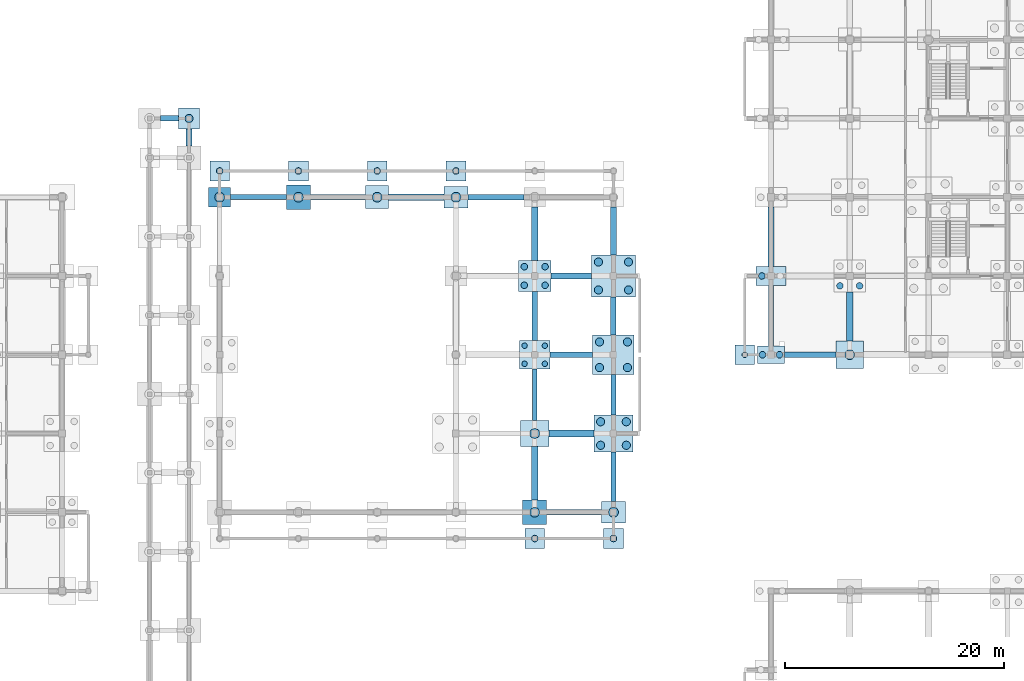
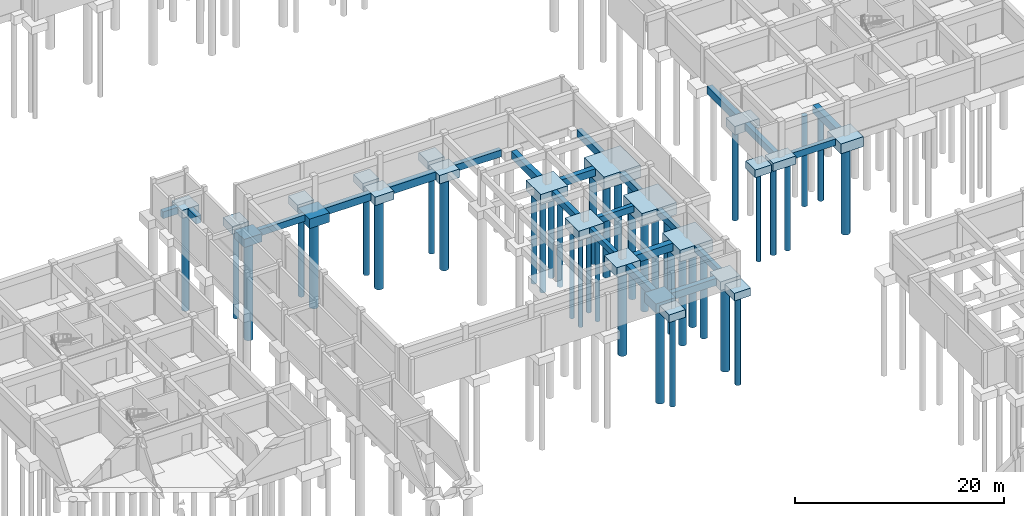
# One storey, part 10 of 38: 45 footings, 41 piles.
"""IFC4 building model written with IfcOpenShell, lengths in metres."""

from ifc_helpers import new_model, si_unit, direction, frame, origin, origin_2d, place, context, subcontext, project, spatial, polyline, rectangle, circle, outline, extrude, material, material_profile, profile_set, type_object, element, save


model = new_model("IFC4")

# Units and contexts
model_context = context("Model", 3, precision=1e-05, world=origin(), true_north=direction((0.0, 1.0)))
body_context = subcontext(model_context, "Body", "Model", "MODEL_VIEW")
ifc_project = project(units=[si_unit("LENGTHUNIT", "METRE"), si_unit("AREAUNIT", "SQUARE_METRE"), si_unit("VOLUMEUNIT", "CUBIC_METRE"), si_unit("PLANEANGLEUNIT", "RADIAN"), si_unit("MASSUNIT", "GRAM", prefix="KILO"), si_unit("THERMODYNAMICTEMPERATUREUNIT", "KELVIN"), si_unit("POWERUNIT", "WATT")], contexts=[model_context])

# Site, building, storey
site_placement = place(None, origin())
site = spatial("IfcSite", under=ifc_project, at=site_placement, CompositionType="ELEMENT")
building_placement = place(site_placement, origin())
building = spatial("IfcBuilding", under=site, at=building_placement, Name="Tavuni Mirador Residences", CompositionType="ELEMENT")
storey_placement = place(building_placement, frame((0.0, 0.0, -4.199951171875)))
storey = spatial("IfcBuildingStorey", under=building, at=storey_placement, Name="B1", CompositionType="ELEMENT", Elevation=-4.199951171875)

# Footings
ifc_material = material(Name="In-situ concrete C35/45", Category="concrete")
footing_type_1 = type_object("IfcFootingType", Name="FT-GB01", PredefinedType="FOOTING_BEAM", material=ifc_material)
footing_1_placement = place(storey_placement, frame((0.0, 0.0, -0.719970703125)))
element("IfcFooting", 1, at=footing_1_placement, inside=storey, type_object=footing_type_1, Name="GBY-PAV-HALL-04-01", PredefinedType="FOOTING_BEAM", context=body_context, shape_type="SweptSolid", body=[
    extrude(outline(polyline([(68.18994140625, 80.39990234375), (68.610107421875, 80.39990234375), (68.610107421875, 85.10009765625), (68.18994140625, 85.10009765625), (68.18994140625, 80.39990234375)])), origin(), (0.0, 0.0, 1.0), 0.719970703125),
])
footing_2_placement = place(storey_placement, frame((0.0, 0.0, -0.719970703125)))
element("IfcFooting", 2, at=footing_2_placement, inside=storey, type_object=footing_type_1, Name="GBY-PAV-HALL-05-00", PredefinedType="FOOTING_BEAM", context=body_context, shape_type="SweptSolid", body=[
    extrude(outline(polyline([(75.389892578125, 73.0), (75.81005859375, 73.0), (75.81005859375, 77.5), (75.389892578125, 77.5), (75.389892578125, 73.0)])), origin(), (0.0, 0.0, 1.0), 0.719970703125),
])
footing_type_2 = type_object("IfcFootingType", Name="FT-GB02", PredefinedType="FOOTING_BEAM", material=ifc_material)
footing_3_placement = place(storey_placement, frame((0.0, 0.0, -0.760009765625)))
element("IfcFooting", 3, at=footing_3_placement, inside=storey, type_object=footing_type_2, Name="GBX-BLK-D-00-00", PredefinedType="FOOTING_BEAM", context=body_context, shape_type="SweptSolid", body=[
    extrude(outline(polyline([(91.25, 86.169921875), (95.949951171875, 86.169921875), (95.949951171875, 86.6298828125), (91.25, 86.6298828125), (91.25, 86.169921875)])), origin(), (0.0, 0.0, 1.0), 0.760009765625),
])
footing_4_placement = place(storey_placement, frame((0.0, 0.0, -0.760009765625)))
element("IfcFooting", 4, at=footing_4_placement, inside=storey, type_object=footing_type_2, Name="GBX-PAV-HALL-00-04", PredefinedType="FOOTING_BEAM", context=body_context, shape_type="SweptSolid", body=[
    extrude(outline(polyline([(40.60009765625, 100.570068359375), (45.699951171875, 100.570068359375), (45.699951171875, 101.030029296875), (40.60009765625, 101.030029296875), (40.60009765625, 100.570068359375)])), origin(), (0.0, 0.0, 1.0), 0.760009765625),
])
footing_5_placement = place(storey_placement, frame((0.0, 0.0, -0.760009765625)))
element("IfcFooting", 5, at=footing_5_placement, inside=storey, type_object=footing_type_2, Name="GBX-PAV-HALL-04-02", PredefinedType="FOOTING_BEAM", context=body_context, shape_type="SweptSolid", body=[
    extrude(outline(polyline([(69.800048828125, 86.169921875), (73.699951171875, 86.169921875), (73.699951171875, 86.6298828125), (69.800048828125, 86.6298828125), (69.800048828125, 86.169921875)])), origin(), (0.0, 0.0, 1.0), 0.760009765625),
])
footing_6_placement = place(storey_placement, frame((0.0, 0.0, -0.760009765625)))
element("IfcFooting", 6, at=footing_6_placement, inside=storey, type_object=footing_type_2, Name="GBY-PAV-HALL-05-01", PredefinedType="FOOTING_BEAM", context=body_context, shape_type="SweptSolid", body=[
    extrude(outline(polyline([(75.3701171875, 80.89990234375), (75.830078125, 80.89990234375), (75.830078125, 84.60009765625), (75.3701171875, 84.60009765625), (75.3701171875, 80.89990234375)])), origin(), (0.0, 0.0, 1.0), 0.760009765625),
])
footing_type_3 = type_object("IfcFootingType", Name="FT-GB03", PredefinedType="FOOTING_BEAM", material=ifc_material)
footing_7_placement = place(storey_placement, frame((0.0, 0.0, -0.800048828125)))
element("IfcFooting", 7, at=footing_7_placement, inside=storey, type_object=footing_type_3, Name="GBY-BLK-D-00-00", PredefinedType="FOOTING_BEAM", context=body_context, shape_type="SweptSolid", body=[
    extrude(outline(polyline([(89.75, 87.199951171875), (90.25, 87.199951171875), (90.25, 92.75), (89.75, 92.75), (89.75, 87.199951171875)])), origin(), (0.0, 0.0, 1.0), 0.800048828125),
])
footing_8_placement = place(storey_placement, frame((0.0, 0.0, -0.800048828125)))
element("IfcFooting", 8, at=footing_8_placement, inside=storey, type_object=footing_type_3, Name="GBX-PAV-HALL-03-04", PredefinedType="FOOTING_BEAM", context=body_context, shape_type="SweptSolid", body=[
    extrude(outline(polyline([(62.300048828125, 100.550048828125), (67.39990234375, 100.550048828125), (67.39990234375, 101.050048828125), (62.300048828125, 101.050048828125), (62.300048828125, 100.550048828125)])), origin(), (0.0, 0.0, 1.0), 0.800048828125),
])
footing_9_placement = place(storey_placement, frame((0.0, 0.0, -0.800048828125)))
element("IfcFooting", 9, at=footing_9_placement, inside=storey, type_object=footing_type_3, Name="GBY-PAV-HALL-04-02", PredefinedType="FOOTING_BEAM", context=body_context, shape_type="SweptSolid", body=[
    extrude(outline(polyline([(68.14990234375, 87.699951171875), (68.64990234375, 87.699951171875), (68.64990234375, 92.199951171875), (68.14990234375, 92.199951171875), (68.14990234375, 87.699951171875)])), origin(), (0.0, 0.0, 1.0), 0.800048828125),
])
footing_10_placement = place(storey_placement, frame((0.0, 0.0, -0.800048828125)))
element("IfcFooting", 10, at=footing_10_placement, inside=storey, type_object=footing_type_3, Name="GBY-PAV-HALL-05-02", PredefinedType="FOOTING_BEAM", context=body_context, shape_type="SweptSolid", body=[
    extrude(outline(polyline([(75.35009765625, 88.199951171875), (75.85009765625, 88.199951171875), (75.85009765625, 91.699951171875), (75.35009765625, 91.699951171875), (75.35009765625, 88.199951171875)])), origin(), (0.0, 0.0, 1.0), 0.800048828125),
])
footing_11_placement = place(storey_placement, frame((0.0, 0.0, -0.800048828125)))
element("IfcFooting", 11, at=footing_11_placement, inside=storey, type_object=footing_type_3, Name="GBX-PAV-COL-00-08", PredefinedType="FOOTING_BEAM", context=body_context, shape_type="SweptSolid", body=[
    extrude(outline(polyline([(34.199951171875, 107.75), (35.85009765625, 107.75), (35.85009765625, 108.25), (34.199951171875, 108.25), (34.199951171875, 107.75)])), origin(), (0.0, 0.0, 1.0), 0.800048828125),
])
footing_type_4 = type_object("IfcFootingType", Name="FT-GB04", PredefinedType="FOOTING_BEAM", material=ifc_material)
footing_12_placement = place(storey_placement, frame((0.0, 0.0, -0.840087890625)))
element("IfcFooting", 12, at=footing_12_placement, inside=storey, type_object=footing_type_4, Name="GBX-PAV-HALL-01-04", PredefinedType="FOOTING_BEAM", context=body_context, shape_type="SweptSolid", body=[
    extrude(outline(polyline([(47.89990234375, 100.530029296875), (52.949951171875, 100.530029296875), (52.949951171875, 101.070068359375), (47.89990234375, 101.070068359375), (47.89990234375, 100.530029296875)])), origin(), (0.0, 0.0, 1.0), 0.840087890625),
])
footing_13_placement = place(storey_placement, frame((0.0, 0.0, -0.840087890625)))
element("IfcFooting", 13, at=footing_13_placement, inside=storey, type_object=footing_type_4, Name="GBX-PAV-HALL-04-00", PredefinedType="FOOTING_BEAM", context=body_context, shape_type="SweptSolid", body=[
    extrude(outline(polyline([(69.5, 71.72998046875), (74.5, 71.72998046875), (74.5, 72.27001953125), (69.5, 72.27001953125), (69.5, 71.72998046875)])), origin(), (0.0, 0.0, 1.0), 0.840087890625),
])
footing_14_placement = place(storey_placement, frame((0.0, 0.0, -0.840087890625)))
element("IfcFooting", 14, at=footing_14_placement, inside=storey, type_object=footing_type_4, Name="GBX-PAV-HALL-04-03", PredefinedType="FOOTING_BEAM", context=body_context, shape_type="SweptSolid", body=[
    extrude(outline(polyline([(69.89990234375, 93.330078125), (73.60009765625, 93.330078125), (73.60009765625, 93.8701171875), (69.89990234375, 93.8701171875), (69.89990234375, 93.330078125)])), origin(), (0.0, 0.0, 1.0), 0.840087890625),
])
footing_15_placement = place(storey_placement, frame((0.0, 0.0, -0.840087890625)))
element("IfcFooting", 15, at=footing_15_placement, inside=storey, type_object=footing_type_4, Name="GBY-PAV-HALL-05-03", PredefinedType="FOOTING_BEAM", context=body_context, shape_type="SweptSolid", body=[
    extrude(outline(polyline([(75.330078125, 95.5), (75.8701171875, 95.5), (75.8701171875, 99.89990234375), (75.330078125, 99.89990234375), (75.330078125, 95.5)])), origin(), (0.0, 0.0, 1.0), 0.840087890625),
])
footing_type_5 = type_object("IfcFootingType", Name="FT-GB05", PredefinedType="FOOTING_BEAM", material=ifc_material)
footing_16_placement = place(storey_placement, frame((0.0, 0.0, -0.880126953125)))
element("IfcFooting", 16, at=footing_16_placement, inside=storey, type_object=footing_type_5, Name="GBY-BLK-D-00-01", PredefinedType="FOOTING_BEAM", context=body_context, shape_type="SweptSolid", body=[
    extrude(outline(polyline([(89.7099609375, 94.449951171875), (90.2900390625, 94.449951171875), (90.2900390625, 99.89990234375), (89.7099609375, 99.89990234375), (89.7099609375, 94.449951171875)])), origin(), (0.0, 0.0, 1.0), 0.880126953125),
])
footing_17_placement = place(storey_placement, frame((0.0, 0.0, -0.880126953125)))
element("IfcFooting", 17, at=footing_17_placement, inside=storey, type_object=footing_type_5, Name="GBY-PAV-HALL-04-00", PredefinedType="FOOTING_BEAM", context=body_context, shape_type="SweptSolid", body=[
    extrude(outline(polyline([(68.110107421875, 73.10009765625), (68.68994140625, 73.10009765625), (68.68994140625, 78.0), (68.110107421875, 78.0), (68.110107421875, 73.10009765625)])), origin(), (0.0, 0.0, 1.0), 0.880126953125),
])
footing_18_placement = place(storey_placement, frame((0.0, 0.0, -0.880126953125)))
element("IfcFooting", 18, at=footing_18_placement, inside=storey, type_object=footing_type_5, Name="GBY-PAV-HALL-04-03", PredefinedType="FOOTING_BEAM", context=body_context, shape_type="SweptSolid", body=[
    extrude(outline(polyline([(68.110107421875, 95.0), (68.68994140625, 95.0), (68.68994140625, 99.89990234375), (68.110107421875, 99.89990234375), (68.110107421875, 95.0)])), origin(), (0.0, 0.0, 1.0), 0.880126953125),
])
footing_19_placement = place(storey_placement, frame((0.0, 0.0, -0.880126953125)))
element("IfcFooting", 19, at=footing_19_placement, inside=storey, type_object=footing_type_5, Name="GBY-PAV-COL-01-07", PredefinedType="FOOTING_BEAM", context=body_context, shape_type="SweptSolid", body=[
    extrude(outline(polyline([(36.510009765625, 105.5), (37.090087890625, 105.5), (37.090087890625, 107.050048828125), (36.510009765625, 107.050048828125), (36.510009765625, 105.5)])), origin(), (0.0, 0.0, 1.0), 0.880126953125),
])
footing_type_6 = type_object("IfcFootingType", Name="FT-GB06", PredefinedType="FOOTING_BEAM", material=ifc_material)
footing_20_placement = place(storey_placement, frame((0.0, 0.0, -0.920166015625)))
element("IfcFooting", 20, at=footing_20_placement, inside=storey, type_object=footing_type_6, Name="GBY-BLK-D-01-00", PredefinedType="FOOTING_BEAM", context=body_context, shape_type="SweptSolid", body=[
    extrude(outline(polyline([(96.889892578125, 87.64990234375), (97.510009765625, 87.64990234375), (97.510009765625, 92.14990234375), (96.889892578125, 92.14990234375), (96.889892578125, 87.64990234375)])), origin(), (0.0, 0.0, 1.0), 0.920166015625),
])
footing_21_placement = place(storey_placement, frame((0.0, 0.0, -0.920166015625)))
element("IfcFooting", 21, at=footing_21_placement, inside=storey, type_object=footing_type_6, Name="GBX-PAV-HALL-02-04", PredefinedType="FOOTING_BEAM", context=body_context, shape_type="SweptSolid", body=[
    extrude(outline(polyline([(55.050048828125, 100.489990234375), (60.10009765625, 100.489990234375), (60.10009765625, 101.110107421875), (55.050048828125, 101.110107421875), (55.050048828125, 100.489990234375)])), origin(), (0.0, 0.0, 1.0), 0.920166015625),
])
footing_22_placement = place(storey_placement, frame((0.0, 0.0, -0.920166015625)))
element("IfcFooting", 22, at=footing_22_placement, inside=storey, type_object=footing_type_6, Name="GBX-PAV-HALL-04-01", PredefinedType="FOOTING_BEAM", context=body_context, shape_type="SweptSolid", body=[
    extrude(outline(polyline([(69.699951171875, 78.889892578125), (73.800048828125, 78.889892578125), (73.800048828125, 79.510009765625), (69.699951171875, 79.510009765625), (69.699951171875, 78.889892578125)])), origin(), (0.0, 0.0, 1.0), 0.920166015625),
])
footing_type_7 = type_object("IfcFootingType", Name="FT-PC01", PredefinedType="PILE_CAP", material=ifc_material)
for number, where, z_axis, x_axis, name in (
    (23, (87.60009765625, 86.39990234375, -0.89990234375), (0.0, 0.0, 1.0), (1.0, 0.0, 0.0), "CAP-APR-BLKD-W1-0"),
    (24, (68.39990234375, 69.60009765625, -0.89990234375), (0.0, 0.0, 1.0), (1.0, 0.0, 0.0), "CAP-HALL-EAVE-S-04"),
    (25, (75.60009765625, 69.60009765625, -0.89990234375), (0.0, 0.0, 1.0), (1.0, 0.0, 0.0), "CAP-HALL-EAVE-S-05"),
    (26, (39.60009765625, 103.199951171875, -0.89990234375), (0.0, 0.0, 1.0), (1.0, 0.0, 0.0), "CAP-HALL-EAVE-N-00"),
    (27, (46.800048828125, 103.199951171875, -0.89990234375), (0.0, 0.0, 1.0), (1.0, 0.0, 0.0), "CAP-HALL-EAVE-N-01"),
    (28, (54.0, 103.199951171875, -0.89990234375), (0.0, 0.0, 1.0), (1.0, 0.0, 0.0), "CAP-HALL-EAVE-N-02"),
    (29, (61.199951171875, 103.199951171875, -0.89990234375), (0.0, 0.0, 1.0), (1.0, 0.0, 0.0), "CAP-HALL-EAVE-N-03"),
):
    element("IfcFooting", number, at=place(storey_placement, frame(where, z_axis=z_axis, x_axis=x_axis)), inside=storey, type_object=footing_type_7, Name=name, PredefinedType="PILE_CAP", context=body_context, shape_type="SweptSolid", body=[
        extrude(rectangle(XDim=1.800048828125, YDim=1.800048828125, at=origin_2d()), origin(), (0.0, 0.0, 1.0), 0.89990234375),
    ])
footing_type_8 = type_object("IfcFootingType", Name="FT-PC02", PredefinedType="PILE_CAP", material=ifc_material)
footing_23_placement = place(storey_placement, frame((39.60009765625, 100.800048828125, -0.9501953125), z_axis=(0.0, 0.0, 1.0), x_axis=(1.0, 0.0, 0.0)))
element("IfcFooting", 30, at=footing_23_placement, inside=storey, type_object=footing_type_8, Name="CAP-PAV-HALL-00-04", PredefinedType="PILE_CAP", context=body_context, shape_type="SweptSolid", body=[
    extrude(rectangle(XDim=2.0, YDim=1.800048828125, at=origin_2d()), origin(), (0.0, 0.0, 1.0), 0.949951171875),
])
footing_type_9 = type_object("IfcFootingType", Name="FT-PC03", PredefinedType="PILE_CAP", material=ifc_material)
for number, where, z_axis, x_axis, name in (
    (31, (61.199951171875, 100.800048828125, -1.0), (0.0, 0.0, 1.0), (1.0, 0.0, 0.0), "CAP-PAV-HALL-03-04"),
    (32, (75.60009765625, 72.0, -1.0), (0.0, 0.0, 1.0), (1.0, 0.0, 0.0), "CAP-PAV-HALL-05-00"),
):
    element("IfcFooting", number, at=place(storey_placement, frame(where, z_axis=z_axis, x_axis=x_axis)), inside=storey, type_object=footing_type_9, Name=name, PredefinedType="PILE_CAP", context=body_context, shape_type="SweptSolid", body=[
        extrude(rectangle(XDim=2.199951171875, YDim=2.0, at=origin_2d()), origin(), (0.0, 0.0, 1.0), 1.0),
    ])
footing_type_10 = type_object("IfcFootingType", Name="FT-PC05", PredefinedType="PILE_CAP", material=ifc_material)
footing_24_placement = place(storey_placement, frame((68.39990234375, 79.199951171875, -1.10009765625), z_axis=(0.0, 0.0, 1.0), x_axis=(1.0, 0.0, 0.0)))
element("IfcFooting", 33, at=footing_24_placement, inside=storey, type_object=footing_type_10, Name="CAP-PAV-HALL-04-01", PredefinedType="PILE_CAP", context=body_context, shape_type="SweptSolid", body=[
    extrude(rectangle(XDim=2.60009765625, YDim=2.39990234375, at=origin_2d()), origin(), (0.0, 0.0, 1.0), 1.10009765625),
])
footing_type_11 = type_object("IfcFootingType", Name="FT-PC06", PredefinedType="PILE_CAP", material=ifc_material)
footing_25_placement = place(storey_placement, frame((68.39990234375, 86.39990234375, -1.14990234375), z_axis=(0.0, 0.0, 1.0), x_axis=(1.0, 0.0, 0.0)))
element("IfcFooting", 34, at=footing_25_placement, inside=storey, type_object=footing_type_11, Name="CAP-PAV-HALL-04-02", PredefinedType="PILE_CAP", context=body_context, shape_type="SweptSolid", body=[
    extrude(rectangle(XDim=2.800048828125, YDim=2.60009765625, at=origin_2d()), origin(), (0.0, 0.0, 1.0), 1.14990234375),
])
footing_type_12 = type_object("IfcFootingType", Name="FT-PC07", PredefinedType="PILE_CAP", material=ifc_material)
footing_26_placement = place(storey_placement, frame((68.39990234375, 93.60009765625, -1.2001953125), z_axis=(0.0, 0.0, 1.0), x_axis=(1.0, 0.0, 0.0)))
element("IfcFooting", 35, at=footing_26_placement, inside=storey, type_object=footing_type_12, Name="CAP-PAV-HALL-04-03", PredefinedType="PILE_CAP", context=body_context, shape_type="SweptSolid", body=[
    extrude(rectangle(XDim=3.0, YDim=2.800048828125, at=origin_2d()), origin(), (0.0, 0.0, 1.0), 1.199951171875),
])
footing_type_13 = type_object("IfcFootingType", Name="FT-PC10", PredefinedType="PILE_CAP", material=ifc_material)
footing_27_placement = place(storey_placement, frame((75.60009765625, 79.199951171875, -1.35009765625), z_axis=(0.0, 0.0, 1.0), x_axis=(1.0, 0.0, 0.0)))
element("IfcFooting", 36, at=footing_27_placement, inside=storey, type_object=footing_type_13, Name="CAP-PAV-HALL-05-01", PredefinedType="PILE_CAP", context=body_context, shape_type="SweptSolid", body=[
    extrude(rectangle(XDim=3.60009765625, YDim=3.39990234375, at=origin_2d()), origin(), (0.0, 0.0, 1.0), 1.35009765625),
])
footing_type_14 = type_object("IfcFootingType", Name="FT-PC11", PredefinedType="PILE_CAP", material=ifc_material)
footing_28_placement = place(storey_placement, frame((75.60009765625, 86.39990234375, -1.39990234375), z_axis=(0.0, 0.0, 1.0), x_axis=(1.0, 0.0, 0.0)))
element("IfcFooting", 37, at=footing_28_placement, inside=storey, type_object=footing_type_14, Name="CAP-PAV-HALL-05-02", PredefinedType="PILE_CAP", context=body_context, shape_type="SweptSolid", body=[
    extrude(rectangle(XDim=3.800048828125, YDim=3.60009765625, at=origin_2d()), origin(), (0.0, 0.0, 1.0), 1.39990234375),
])
footing_type_15 = type_object("IfcFootingType", Name="FT-PC12", PredefinedType="PILE_CAP", material=ifc_material)
footing_29_placement = place(storey_placement, frame((75.60009765625, 93.60009765625, -1.4501953125), z_axis=(0.0, 0.0, 1.0), x_axis=(1.0, 0.0, 0.0)))
element("IfcFooting", 38, at=footing_29_placement, inside=storey, type_object=footing_type_15, Name="CAP-PAV-HALL-05-03", PredefinedType="PILE_CAP", context=body_context, shape_type="SweptSolid", body=[
    extrude(rectangle(XDim=4.0, YDim=3.800048828125, at=origin_2d()), origin(), (0.0, 0.0, 1.0), 1.449951171875),
])
footing_type_16 = type_object("IfcFootingType", Name="FT-PC14", PredefinedType="PILE_CAP", material=ifc_material)
footing_30_placement = place(storey_placement, frame((90.0, 86.39990234375, -0.9501953125), z_axis=(0.0, 0.0, 1.0), x_axis=(1.0, 0.0, 0.0)))
element("IfcFooting", 39, at=footing_30_placement, inside=storey, type_object=footing_type_16, Name="CAP-BLK-D-00-00", PredefinedType="PILE_CAP", context=body_context, shape_type="SweptSolid", body=[
    extrude(rectangle(XDim=2.5, YDim=1.60009765625, at=origin_2d()), origin(), (0.0, 0.0, 1.0), 0.949951171875),
])
footing_type_17 = type_object("IfcFootingType", Name="FT-PC15", PredefinedType="PILE_CAP", material=ifc_material)
footing_31_placement = place(storey_placement, frame((90.0, 93.60009765625, -1.0), z_axis=(0.0, 0.0, 1.0), x_axis=(1.0, 0.0, 0.0)))
element("IfcFooting", 40, at=footing_31_placement, inside=storey, type_object=footing_type_17, Name="CAP-BLK-D-00-01", PredefinedType="PILE_CAP", context=body_context, shape_type="SweptSolid", body=[
    extrude(rectangle(XDim=2.699951171875, YDim=1.699951171875, at=origin_2d()), origin(), (0.0, 0.0, 1.0), 1.0),
])
footing_type_18 = type_object("IfcFootingType", Name="FT-PC21", PredefinedType="PILE_CAP", material=ifc_material)
for number, where, z_axis, x_axis, name in (
    (41, (46.800048828125, 100.800048828125, -1.10009765625), (0.0, 0.0, 1.0), (1.0, 0.0, 0.0), "CAP-PAV-HALL-01-04"),
    (42, (68.39990234375, 72.0, -1.10009765625), (0.0, 0.0, 1.0), (1.0, 0.0, 0.0), "CAP-PAV-HALL-04-00"),
):
    element("IfcFooting", number, at=place(storey_placement, frame(where, z_axis=z_axis, x_axis=x_axis)), inside=storey, type_object=footing_type_18, Name=name, PredefinedType="PILE_CAP", context=body_context, shape_type="SweptSolid", body=[
        extrude(rectangle(XDim=2.199951171875, YDim=2.199951171875, at=origin_2d()), origin(), (0.0, 0.0, 1.0), 1.10009765625),
    ])
footing_type_19 = type_object("IfcFootingType", Name="FT-PC22", PredefinedType="PILE_CAP", material=ifc_material)
footing_32_placement = place(storey_placement, frame((97.199951171875, 86.39990234375, -1.14990234375), z_axis=(0.0, 0.0, 1.0), x_axis=(1.0, 0.0, 0.0)))
element("IfcFooting", 43, at=footing_32_placement, inside=storey, type_object=footing_type_19, Name="CAP-BLK-D-01-00", PredefinedType="PILE_CAP", context=body_context, shape_type="SweptSolid", body=[
    extrude(rectangle(XDim=2.5, YDim=2.5, at=origin_2d()), origin(), (0.0, 0.0, 1.0), 1.14990234375),
])
footing_type_20 = type_object("IfcFootingType", Name="FT-PC25", PredefinedType="PILE_CAP", material=ifc_material)
footing_33_placement = place(storey_placement, frame((36.800048828125, 108.0, -0.919921875), z_axis=(0.0, 0.0, 1.0), x_axis=(1.0, 0.0, 0.0)))
element("IfcFooting", 44, at=footing_33_placement, inside=storey, type_object=footing_type_20, Name="CAP-PAV-COL-01-08", PredefinedType="PILE_CAP", context=body_context, shape_type="SweptSolid", body=[
    extrude(rectangle(XDim=1.89990234375, YDim=1.89990234375, at=origin_2d()), origin(), (0.0, 0.0, 1.0), 0.919921875),
])
footing_type_21 = type_object("IfcFootingType", Name="FT-PC26", PredefinedType="PILE_CAP", material=ifc_material)
footing_34_placement = place(storey_placement, frame((54.0, 100.800048828125, -0.97998046875), z_axis=(0.0, 0.0, 1.0), x_axis=(1.0, 0.0, 0.0)))
element("IfcFooting", 45, at=footing_34_placement, inside=storey, type_object=footing_type_21, Name="CAP-PAV-HALL-02-04", PredefinedType="PILE_CAP", context=body_context, shape_type="SweptSolid", body=[
    extrude(rectangle(XDim=2.10009765625, YDim=2.10009765625, at=origin_2d()), origin(), (0.0, 0.0, 1.0), 0.97998046875),
])

# Piles
ifc_material_profile_1 = material_profile(ifc_material, circle(Radius=0.25, at=origin_2d()), Name="PILE D500", Category="concrete")
ifc_profile_set_1 = profile_set([ifc_material_profile_1], Name="In-situ concrete C35/45")
pile_type_1 = type_object("IfcPileType", Name="PT-D500", PredefinedType="BORED", material=ifc_profile_set_1)
for number, where, z_axis, x_axis, name in (
    (46, (67.469970703125, 85.570068359375, -1.150146484375), (0.0, 0.0, -1.0), (1.0, 0.0, 0.0), "PIL-PAV-HALL-04-02-1"),
    (47, (69.330078125, 85.570068359375, -1.150146484375), (0.0, 0.0, -1.0), (1.0, 0.0, 0.0), "PIL-PAV-HALL-04-02-2"),
    (48, (67.469970703125, 87.22998046875, -1.150146484375), (0.0, 0.0, -1.0), (1.0, 0.0, 0.0), "PIL-PAV-HALL-04-02-3"),
    (49, (69.330078125, 87.22998046875, -1.150146484375), (0.0, 0.0, -1.0), (1.0, 0.0, 0.0), "PIL-PAV-HALL-04-02-4"),
):
    element("IfcPile", number, at=place(storey_placement, frame(where, z_axis=z_axis, x_axis=x_axis)), inside=storey, type_object=pile_type_1, Name=name, PredefinedType="BORED", context=body_context, shape_type="SweptSolid", body=[
        extrude(circle(Radius=0.25, at=origin_2d()), origin(), (0.0, 0.0, 1.0), 10.35009765625),
    ])
pile_1_placement = place(storey_placement, frame((87.60009765625, 86.39990234375, -0.800048828125), z_axis=(0.0, 0.0, -1.0), x_axis=(1.0, 0.0, 0.0)))
element("IfcPile", 50, at=pile_1_placement, inside=storey, type_object=pile_type_1, Name="PIL-APR-BLKD-W1-0", PredefinedType="BORED", context=body_context, shape_type="SweptSolid", body=[
    extrude(circle(Radius=0.25, at=origin_2d()), origin(), (0.0, 0.0, 1.0), 10.60009765625),
])
ifc_material_profile_2 = material_profile(ifc_material, circle(Radius=0.300048828125, at=origin_2d()), Name="PILE D600", Category="concrete")
ifc_profile_set_2 = profile_set([ifc_material_profile_2], Name="In-situ concrete C35/45")
pile_type_2 = type_object("IfcPileType", Name="PT-D600", PredefinedType="BORED", material=ifc_profile_set_2)
for number, where, z_axis, x_axis, name in (
    (51, (89.219970703125, 86.39990234375, -0.949951171875), (0.0, 0.0, -1.0), (1.0, 0.0, 0.0), "PIL-BLK-D-00-00-1"),
    (52, (90.780029296875, 86.39990234375, -0.949951171875), (0.0, 0.0, -1.0), (1.0, 0.0, 0.0), "PIL-BLK-D-00-00-2"),
):
    element("IfcPile", number, at=place(storey_placement, frame(where, z_axis=z_axis, x_axis=x_axis)), inside=storey, type_object=pile_type_2, Name=name, PredefinedType="BORED", context=body_context, shape_type="SweptSolid", body=[
        extrude(circle(Radius=0.300048828125, at=origin_2d()), origin(), (0.0, 0.0, 1.0), 10.25),
    ])
pile_2_placement = place(storey_placement, frame((89.169921875, 93.60009765625, -1.0), z_axis=(0.0, 0.0, -1.0), x_axis=(1.0, 0.0, 0.0)))
element("IfcPile", 53, at=pile_2_placement, inside=storey, type_object=pile_type_2, Name="PIL-BLK-D-00-01-1", PredefinedType="BORED", context=body_context, shape_type="SweptSolid", body=[
    extrude(circle(Radius=0.300048828125, at=origin_2d()), origin(), (0.0, 0.0, 1.0), 10.5),
])
for number, where, z_axis, x_axis, name in (
    (54, (96.300048828125, 92.699951171875, -1.25), (0.0, 0.0, -1.0), (1.0, 0.0, 0.0), "PIL-BLK-D-01-01-1"),
    (55, (98.10009765625, 92.699951171875, -1.25), (0.0, 0.0, -1.0), (1.0, 0.0, 0.0), "PIL-BLK-D-01-01-2"),
):
    element("IfcPile", number, at=place(storey_placement, frame(where, z_axis=z_axis, x_axis=x_axis)), inside=storey, type_object=pile_type_2, Name=name, PredefinedType="BORED", context=body_context, shape_type="SweptSolid", body=[
        extrude(circle(Radius=0.300048828125, at=origin_2d()), origin(), (0.0, 0.0, 1.0), 10.550048828125),
    ])
for number, where, z_axis, x_axis, name in (
    (56, (67.449951171875, 92.75, -1.199951171875), (0.0, 0.0, -1.0), (1.0, 0.0, 0.0), "PIL-PAV-HALL-04-03-1"),
    (57, (69.35009765625, 92.75, -1.199951171875), (0.0, 0.0, -1.0), (1.0, 0.0, 0.0), "PIL-PAV-HALL-04-03-2"),
    (58, (67.449951171875, 94.449951171875, -1.199951171875), (0.0, 0.0, -1.0), (1.0, 0.0, 0.0), "PIL-PAV-HALL-04-03-3"),
    (59, (69.35009765625, 94.449951171875, -1.199951171875), (0.0, 0.0, -1.0), (1.0, 0.0, 0.0), "PIL-PAV-HALL-04-03-4"),
    (60, (68.39990234375, 69.60009765625, -0.800048828125), (0.0, 0.0, -1.0), (1.0, 0.0, 0.0), "PIL-HALL-EAVE-S-04"),
    (61, (75.60009765625, 69.60009765625, -0.800048828125), (0.0, 0.0, -1.0), (1.0, 0.0, 0.0), "PIL-HALL-EAVE-S-05"),
    (62, (39.60009765625, 103.199951171875, -0.800048828125), (0.0, 0.0, -1.0), (1.0, 0.0, 0.0), "PIL-HALL-EAVE-N-00"),
    (63, (46.800048828125, 103.199951171875, -0.800048828125), (0.0, 0.0, -1.0), (1.0, 0.0, 0.0), "PIL-HALL-EAVE-N-01"),
    (64, (54.0, 103.199951171875, -0.800048828125), (0.0, 0.0, -1.0), (1.0, 0.0, 0.0), "PIL-HALL-EAVE-N-02"),
    (65, (61.199951171875, 103.199951171875, -0.800048828125), (0.0, 0.0, -1.0), (1.0, 0.0, 0.0), "PIL-HALL-EAVE-N-03"),
):
    element("IfcPile", number, at=place(storey_placement, frame(where, z_axis=z_axis, x_axis=x_axis)), inside=storey, type_object=pile_type_2, Name=name, PredefinedType="BORED", context=body_context, shape_type="SweptSolid", body=[
        extrude(circle(Radius=0.300048828125, at=origin_2d()), origin(), (0.0, 0.0, 1.0), 10.60009765625),
    ])
ifc_material_profile_3 = material_profile(ifc_material, circle(Radius=0.375, at=origin_2d()), Name="PILE D750", Category="concrete")
ifc_profile_set_3 = profile_set([ifc_material_profile_3], Name="In-situ concrete C35/45")
pile_type_3 = type_object("IfcPileType", Name="PT-D750", PredefinedType="BORED", material=ifc_profile_set_3)
for number, where, z_axis, x_axis, name in (
    (66, (74.425048828125, 78.125, -1.35009765625), (0.0, 0.0, -1.0), (1.0, 0.0, 0.0), "PIL-PAV-HALL-05-01-1"),
    (67, (76.77490234375, 78.125, -1.35009765625), (0.0, 0.0, -1.0), (1.0, 0.0, 0.0), "PIL-PAV-HALL-05-01-2"),
    (68, (74.425048828125, 80.27490234375, -1.35009765625), (0.0, 0.0, -1.0), (1.0, 0.0, 0.0), "PIL-PAV-HALL-05-01-3"),
    (69, (76.77490234375, 80.27490234375, -1.35009765625), (0.0, 0.0, -1.0), (1.0, 0.0, 0.0), "PIL-PAV-HALL-05-01-4"),
):
    element("IfcPile", number, at=place(storey_placement, frame(where, z_axis=z_axis, x_axis=x_axis)), inside=storey, type_object=pile_type_3, Name=name, PredefinedType="BORED", context=body_context, shape_type="SweptSolid", body=[
        extrude(circle(Radius=0.375, at=origin_2d()), origin(), (0.0, 0.0, 1.0), 10.14990234375),
    ])
for number, where, z_axis, x_axis, name in (
    (70, (74.324951171875, 85.22509765625, -1.400146484375), (0.0, 0.0, -1.0), (1.0, 0.0, 0.0), "PIL-PAV-HALL-05-02-1"),
    (71, (76.875, 85.22509765625, -1.400146484375), (0.0, 0.0, -1.0), (1.0, 0.0, 0.0), "PIL-PAV-HALL-05-02-2"),
    (72, (74.324951171875, 87.574951171875, -1.400146484375), (0.0, 0.0, -1.0), (1.0, 0.0, 0.0), "PIL-PAV-HALL-05-02-3"),
    (73, (76.875, 87.574951171875, -1.400146484375), (0.0, 0.0, -1.0), (1.0, 0.0, 0.0), "PIL-PAV-HALL-05-02-4"),
):
    element("IfcPile", number, at=place(storey_placement, frame(where, z_axis=z_axis, x_axis=x_axis)), inside=storey, type_object=pile_type_3, Name=name, PredefinedType="BORED", context=body_context, shape_type="SweptSolid", body=[
        extrude(circle(Radius=0.375, at=origin_2d()), origin(), (0.0, 0.0, 1.0), 10.39990234375),
    ])
for number, where, z_axis, x_axis, name in (
    (74, (74.22509765625, 92.324951171875, -1.449951171875), (0.0, 0.0, -1.0), (1.0, 0.0, 0.0), "PIL-PAV-HALL-05-03-1"),
    (75, (76.97509765625, 92.324951171875, -1.449951171875), (0.0, 0.0, -1.0), (1.0, 0.0, 0.0), "PIL-PAV-HALL-05-03-2"),
    (76, (74.22509765625, 94.875, -1.449951171875), (0.0, 0.0, -1.0), (1.0, 0.0, 0.0), "PIL-PAV-HALL-05-03-3"),
    (77, (76.97509765625, 94.875, -1.449951171875), (0.0, 0.0, -1.0), (1.0, 0.0, 0.0), "PIL-PAV-HALL-05-03-4"),
):
    element("IfcPile", number, at=place(storey_placement, frame(where, z_axis=z_axis, x_axis=x_axis)), inside=storey, type_object=pile_type_3, Name=name, PredefinedType="BORED", context=body_context, shape_type="SweptSolid", body=[
        extrude(circle(Radius=0.375, at=origin_2d()), origin(), (0.0, 0.0, 1.0), 10.64990234375),
    ])
pile_3_placement = place(storey_placement, frame((36.800048828125, 108.0, -0.920166015625), z_axis=(0.0, 0.0, -1.0), x_axis=(1.0, 0.0, 0.0)))
element("IfcPile", 78, at=pile_3_placement, inside=storey, type_object=pile_type_3, Name="PIL-PAV-COL-01-08-1", PredefinedType="BORED", context=body_context, shape_type="SweptSolid", body=[
    extrude(circle(Radius=0.375, at=origin_2d()), origin(), (0.0, 0.0, 1.0), 11.47998046875),
])
ifc_material_profile_4 = material_profile(ifc_material, circle(Radius=0.449951171875, at=origin_2d()), Name="PILE D900", Category="concrete")
ifc_profile_set_4 = profile_set([ifc_material_profile_4], Name="In-situ concrete C35/45")
pile_type_4 = type_object("IfcPileType", Name="PT-D900", PredefinedType="BORED", material=ifc_profile_set_4)
pile_4_placement = place(storey_placement, frame((97.199951171875, 86.39990234375, -1.150146484375), z_axis=(0.0, 0.0, -1.0), x_axis=(1.0, 0.0, 0.0)))
element("IfcPile", 79, at=pile_4_placement, inside=storey, type_object=pile_type_4, Name="PIL-BLK-D-01-00-1", PredefinedType="BORED", context=body_context, shape_type="SweptSolid", body=[
    extrude(circle(Radius=0.449951171875, at=origin_2d()), origin(), (0.0, 0.0, 1.0), 10.35009765625),
])
pile_5_placement = place(storey_placement, frame((39.60009765625, 100.800048828125, -0.949951171875), z_axis=(0.0, 0.0, -1.0), x_axis=(1.0, 0.0, 0.0)))
element("IfcPile", 80, at=pile_5_placement, inside=storey, type_object=pile_type_4, Name="PIL-PAV-HALL-00-04-1", PredefinedType="BORED", context=body_context, shape_type="SweptSolid", body=[
    extrude(circle(Radius=0.449951171875, at=origin_2d()), origin(), (0.0, 0.0, 1.0), 11.449951171875),
])
pile_6_placement = place(storey_placement, frame((46.800048828125, 100.800048828125, -1.10009765625), z_axis=(0.0, 0.0, -1.0), x_axis=(1.0, 0.0, 0.0)))
element("IfcPile", 81, at=pile_6_placement, inside=storey, type_object=pile_type_4, Name="PIL-PAV-HALL-01-04-1", PredefinedType="BORED", context=body_context, shape_type="SweptSolid", body=[
    extrude(circle(Radius=0.449951171875, at=origin_2d()), origin(), (0.0, 0.0, 1.0), 10.10009765625),
])
pile_7_placement = place(storey_placement, frame((54.0, 100.800048828125, -0.97998046875), z_axis=(0.0, 0.0, -1.0), x_axis=(1.0, 0.0, 0.0)))
element("IfcPile", 82, at=pile_7_placement, inside=storey, type_object=pile_type_4, Name="PIL-PAV-HALL-02-04-1", PredefinedType="BORED", context=body_context, shape_type="SweptSolid", body=[
    extrude(circle(Radius=0.449951171875, at=origin_2d()), origin(), (0.0, 0.0, 1.0), 10.52001953125),
])
pile_8_placement = place(storey_placement, frame((61.199951171875, 100.800048828125, -1.0), z_axis=(0.0, 0.0, -1.0), x_axis=(1.0, 0.0, 0.0)))
element("IfcPile", 83, at=pile_8_placement, inside=storey, type_object=pile_type_4, Name="PIL-PAV-HALL-03-04-1", PredefinedType="BORED", context=body_context, shape_type="SweptSolid", body=[
    extrude(circle(Radius=0.449951171875, at=origin_2d()), origin(), (0.0, 0.0, 1.0), 10.800048828125),
])
pile_9_placement = place(storey_placement, frame((68.39990234375, 72.0, -1.10009765625), z_axis=(0.0, 0.0, -1.0), x_axis=(1.0, 0.0, 0.0)))
element("IfcPile", 84, at=pile_9_placement, inside=storey, type_object=pile_type_4, Name="PIL-PAV-HALL-04-00-1", PredefinedType="BORED", context=body_context, shape_type="SweptSolid", body=[
    extrude(circle(Radius=0.449951171875, at=origin_2d()), origin(), (0.0, 0.0, 1.0), 11.300048828125),
])
pile_10_placement = place(storey_placement, frame((68.39990234375, 79.199951171875, -1.10009765625), z_axis=(0.0, 0.0, -1.0), x_axis=(1.0, 0.0, 0.0)))
element("IfcPile", 85, at=pile_10_placement, inside=storey, type_object=pile_type_4, Name="PIL-PAV-HALL-04-01-1", PredefinedType="BORED", context=body_context, shape_type="SweptSolid", body=[
    extrude(circle(Radius=0.449951171875, at=origin_2d()), origin(), (0.0, 0.0, 1.0), 10.10009765625),
])
pile_11_placement = place(storey_placement, frame((75.60009765625, 72.0, -1.0), z_axis=(0.0, 0.0, -1.0), x_axis=(1.0, 0.0, 0.0)))
element("IfcPile", 86, at=pile_11_placement, inside=storey, type_object=pile_type_4, Name="PIL-PAV-HALL-05-00-1", PredefinedType="BORED", context=body_context, shape_type="SweptSolid", body=[
    extrude(circle(Radius=0.449951171875, at=origin_2d()), origin(), (0.0, 0.0, 1.0), 10.199951171875),
])

save(model, "model.ifc")
